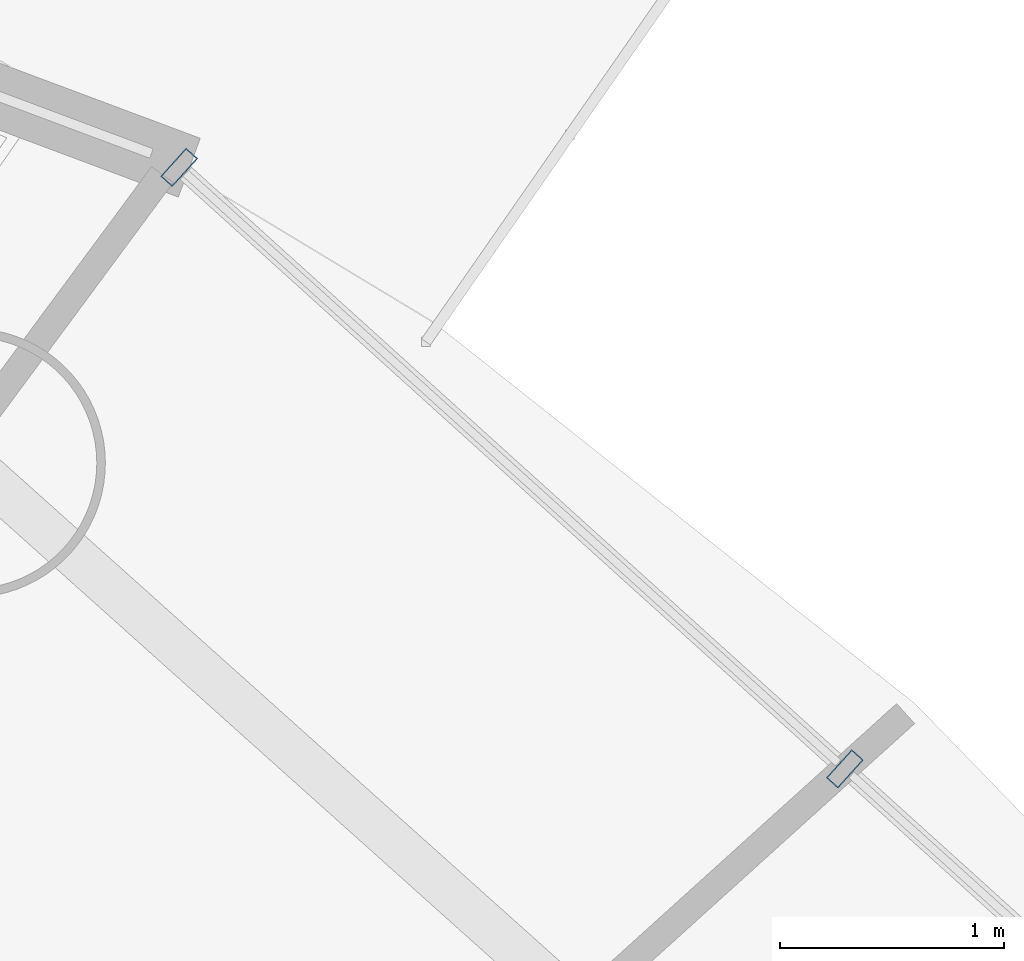
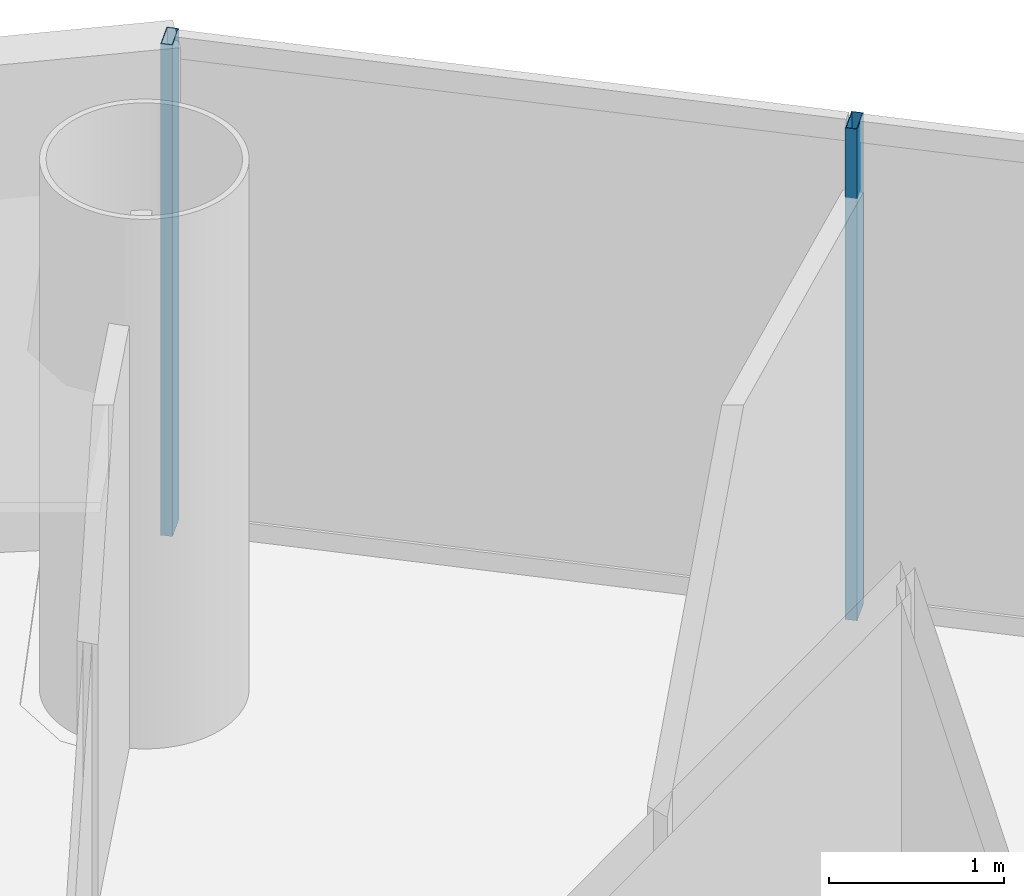
# One storey, part 18 of 26: 2 members, 1 element without a shape of its own.
"""IFC4 building model written with IfcOpenShell, lengths in metres."""

from ifc_helpers import new_model, si_unit, direction, frame, origin, origin_2d, place, context, subcontext, project, spatial, hollow_rectangle, extrude, source, transform, mapped, material, material_profile, profile_set, type_object, element, aggregate, save


model = new_model("IFC4")

# Units and contexts
model_context = context("Model", 3, precision=1e-05, world=origin(), true_north=direction((-0.2419218956, 0.970295726276)))
body_context = subcontext(model_context, "Body", "Model", "MODEL_VIEW")
ifc_project = project(units=[si_unit("LENGTHUNIT", "METRE"), si_unit("AREAUNIT", "SQUARE_METRE"), si_unit("VOLUMEUNIT", "CUBIC_METRE"), si_unit("PLANEANGLEUNIT", "RADIAN"), si_unit("MASSUNIT", "GRAM", prefix="KILO")], contexts=[model_context])

# Site, building, storey
site_placement = place(None, origin())
site = spatial("IfcSite", under=ifc_project, at=site_placement, CompositionType="ELEMENT")
building_placement = place(site_placement, origin())
building = spatial("IfcBuilding", under=site, at=building_placement, Name="Cobrevalo Terracotta Tower", CompositionType="ELEMENT")
storey_placement = place(building_placement, frame((0.0, 0.0, 217.10009765625)))
storey = spatial("IfcBuildingStorey", under=building, at=storey_placement, Name="L57", CompositionType="ELEMENT", Elevation=217.10009765625)

# Curtain wall, members
ifc_material = material(Name="Anodized aluminium", Category="aluminium")
curtain_wall_type = type_object("IfcCurtainWallType", Name="Mid-tower high-wind unitised curtain wall CW-U2", PredefinedType="NOTDEFINED", material=ifc_material)
curtain_wall_placement = place(storey_placement, origin())
curtain_wall = element("IfcCurtainWall", 1, at=curtain_wall_placement, inside=storey, type_object=curtain_wall_type, Name="L57 curtain wall CW-L57-S02", PredefinedType="NOTDEFINED")
ifc_material_profile = material_profile(ifc_material, hollow_rectangle(XDim=0.070068359375, YDim=0.169921875, WallThickness=0.00439453125, at=origin_2d()), Name="CWM 70x170")
ifc_profile_set = profile_set([ifc_material_profile], Name="Anodized aluminium")
member_type = type_object("IfcMemberType", Name="Upper tower unitised mullion 70x170", PredefinedType="MULLION", material=ifc_profile_set)
shared_shape = source(origin(), body_context, "Body", "SweptSolid", [
    extrude(hollow_rectangle(XDim=0.070068359375, YDim=0.169921875, WallThickness=0.00439453125, at=origin_2d()), origin(), (0.0, 0.0, 1.0), 3.434814453125),
])
member_1_placement = place(storey_placement, frame((53.097900390625, 40.441650390625, 0.0), z_axis=(0.0, 0.0, 1.0), x_axis=(-0.741987542015, 0.670413668935, 0.0)))
member_1 = element("IfcMember", 2, at=member_1_placement, type_object=member_type, Name="CW-L57-S02 vertical mullion 02", PredefinedType="MULLION", context=body_context, shape_type="MappedRepresentation", body=[
    mapped(shared_shape, transform((0.0, 0.0, 0.0), scale=1.0)),
])
member_2_placement = place(storey_placement, frame((50.12451171875, 43.128173828125, 0.0), z_axis=(0.0, 0.0, 1.0), x_axis=(-0.741987542015, 0.670413668935, 0.0)))
member_2 = element("IfcMember", 3, at=member_2_placement, type_object=member_type, Name="CW-L57-S02 vertical mullion 03", PredefinedType="MULLION", context=body_context, shape_type="MappedRepresentation", body=[
    mapped(shared_shape, transform((0.0, 0.0, 0.0), scale=1.0)),
])
aggregate(curtain_wall, [member_1, member_2])

save(model, "model.ifc")
